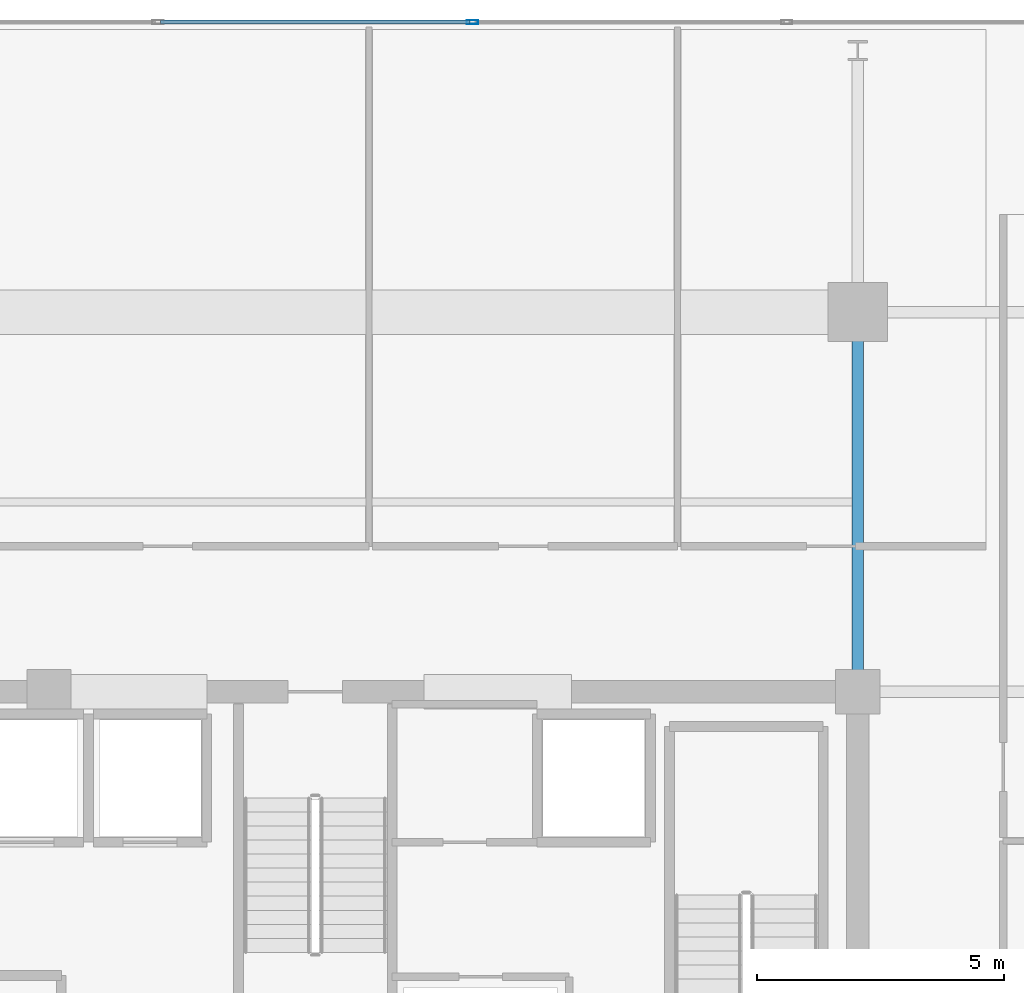
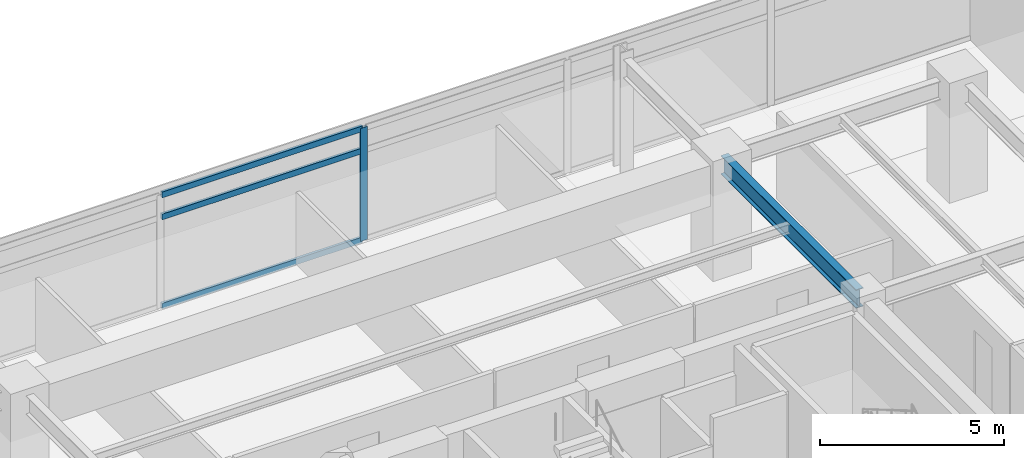
# One storey, part 10 of 21: 4 members, 1 beam, 1 element without a shape of its own.
"""IFC4 building model written with IfcOpenShell, lengths in metres."""

from ifc_helpers import new_model, si_unit, direction, frame, origin, origin_2d, place, context, subcontext, project, spatial, hollow_rectangle, i_section, extrude, material, material_profile, profile_set, type_object, element, aggregate, save


model = new_model("IFC4")

# Units and contexts
model_context = context("Model", 3, precision=1e-05, world=origin(), true_north=direction((0.0, 1.0)))
body_context = subcontext(model_context, "Body", "Model", "MODEL_VIEW")
ifc_project = project(units=[si_unit("LENGTHUNIT", "METRE"), si_unit("AREAUNIT", "SQUARE_METRE"), si_unit("VOLUMEUNIT", "CUBIC_METRE"), si_unit("PLANEANGLEUNIT", "RADIAN"), si_unit("MASSUNIT", "GRAM", prefix="KILO")], contexts=[model_context])

# Site, building, storey
site_placement = place(None, origin())
site = spatial("IfcSite", under=ifc_project, at=site_placement, CompositionType="ELEMENT")
building_placement = place(site_placement, origin())
building = spatial("IfcBuilding", under=site, at=building_placement, Name="Kovane Verandah Tower", CompositionType="ELEMENT")
storey_placement = place(building_placement, frame((0.0, 0.0, 263.199951171875)))
storey = spatial("IfcBuildingStorey", under=building, at=storey_placement, Name="L61", CompositionType="ELEMENT", Elevation=263.199951171875)

# Beam
ifc_material_1 = material(Name="Steel S355", Category="steel")
ifc_material_profile_1 = material_profile(ifc_material_1, i_section(OverallWidth=0.230224609375, OverallDepth=0.6171875, WebThickness=0.01318359375, FlangeThickness=0.022216796875, FilletRadius=0.0126953125, at=origin_2d()), Name="UB610x229x140")
ifc_profile_set_1 = profile_set([ifc_material_profile_1], Name="Steel S355")
beam_type = type_object("IfcBeamType", Name="BM-UB610x140", PredefinedType="BEAM", material=ifc_profile_set_1)
beam_placement = place(storey_placement, frame((51.0, 36.679931640625, 3.4765625), z_axis=(0.0, 1.0, 0.0), x_axis=(-1.0, 0.0, 0.0)))
element("IfcBeam", 1, at=beam_placement, inside=storey, type_object=beam_type, Name="L61 Primary Tower Girder G-N2", PredefinedType="BEAM", context=body_context, shape_type="SweptSolid", body=[
    extrude(i_section(OverallWidth=0.230224609375, OverallDepth=0.6171875, WebThickness=0.01318359375, FlangeThickness=0.022216796875, FilletRadius=0.0126953125, at=origin_2d()), origin(), (0.0, 0.0, 1.0), 7.340087890625),
])

# Curtain wall, members
ifc_material_2 = material(Name="Champagne Anodised Aluminium Frame with Low-E Clear Laminated Glass", Category="aluminium")
curtain_wall_type = type_object("IfcCurtainWallType", Name="CW-SYS-05-HIGH", PredefinedType="NOTDEFINED", material=ifc_material_2)
curtain_wall_placement = place(storey_placement, origin())
curtain_wall = element("IfcCurtainWall", 2, at=curtain_wall_placement, inside=storey, type_object=curtain_wall_type, Name="L61 N Unitised Curtain Wall", PredefinedType="NOTDEFINED")
ifc_material_3 = material(Name="Champagne Anodised Aluminium 6063-T6", Category="aluminium")
ifc_material_profile_2 = material_profile(ifc_material_3, hollow_rectangle(XDim=0.0849609375, YDim=0.22998046875, WallThickness=0.00390625, at=origin_2d()), Name="AL85x230x4")
ifc_profile_set_2 = profile_set([ifc_material_profile_2], Name="Champagne Anodised Aluminium 6063-T6")
member_type_1 = type_object("IfcMemberType", Name="CW-MUL-85x230", PredefinedType="MULLION", material=ifc_profile_set_2)
member_1_placement = place(storey_placement, frame((43.186767578125, 50.080078125, 0.02001953125), z_axis=(0.0, 0.0, 1.0), x_axis=(0.0, 1.0, 0.0)))
member_1 = element("IfcMember", 3, at=member_1_placement, type_object=member_type_1, Name="L61 N Unitised Curtain Wall Mullion 4", PredefinedType="MULLION", context=body_context, shape_type="SweptSolid", body=[
    extrude(hollow_rectangle(XDim=0.0849609375, YDim=0.22998046875, WallThickness=0.00390625, at=origin_2d()), origin(), (0.0, 0.0, 1.0), 3.7451171875),
])
ifc_material_profile_3 = material_profile(ifc_material_3, hollow_rectangle(XDim=0.0849609375, YDim=0.18994140625, WallThickness=0.00390625, at=origin_2d()), Name="AL85x190x4")
ifc_profile_set_3 = profile_set([ifc_material_profile_3], Name="Champagne Anodised Aluminium 6063-T6")
member_type_2 = type_object("IfcMemberType", Name="CW-TRN-85x190", PredefinedType="USERDEFINED", material=ifc_profile_set_3)
member_2_placement = place(storey_placement, frame((43.13671875, 50.080078125, 0.050048828125), z_axis=(-1.0, 0.0, 0.0), x_axis=(0.0, -1.0, 0.0)))
member_2 = element("IfcMember", 4, at=member_2_placement, type_object=member_type_2, Name="L61 N Unitised Curtain Wall Transom TB Bay 4", ObjectType="TRANSOM", PredefinedType="USERDEFINED", context=body_context, shape_type="SweptSolid", body=[
    extrude(hollow_rectangle(XDim=0.0849609375, YDim=0.18994140625, WallThickness=0.00390625, at=origin_2d()), origin(), (0.0, 0.0, 1.0), 6.2734375),
])
member_3_placement = place(storey_placement, frame((43.13671875, 50.080078125, 3.005126953125), z_axis=(-1.0, 0.0, 0.0), x_axis=(0.0, -1.0, 0.0)))
member_3 = element("IfcMember", 5, at=member_3_placement, type_object=member_type_2, Name="L61 N Unitised Curtain Wall Transom TM Bay 4", ObjectType="TRANSOM", PredefinedType="USERDEFINED", context=body_context, shape_type="SweptSolid", body=[
    extrude(hollow_rectangle(XDim=0.0849609375, YDim=0.18994140625, WallThickness=0.00390625, at=origin_2d()), origin(), (0.0, 0.0, 1.0), 6.2734375),
])
member_4_placement = place(storey_placement, frame((43.13671875, 50.080078125, 3.735107421875), z_axis=(-1.0, 0.0, 0.0), x_axis=(0.0, -1.0, 0.0)))
member_4 = element("IfcMember", 6, at=member_4_placement, type_object=member_type_2, Name="L61 N Unitised Curtain Wall Transom TT Bay 4", ObjectType="TRANSOM", PredefinedType="USERDEFINED", context=body_context, shape_type="SweptSolid", body=[
    extrude(hollow_rectangle(XDim=0.0849609375, YDim=0.18994140625, WallThickness=0.00390625, at=origin_2d()), origin(), (0.0, 0.0, 1.0), 6.2734375),
])
aggregate(curtain_wall, [member_1, member_2, member_3, member_4])

save(model, "model.ifc")
